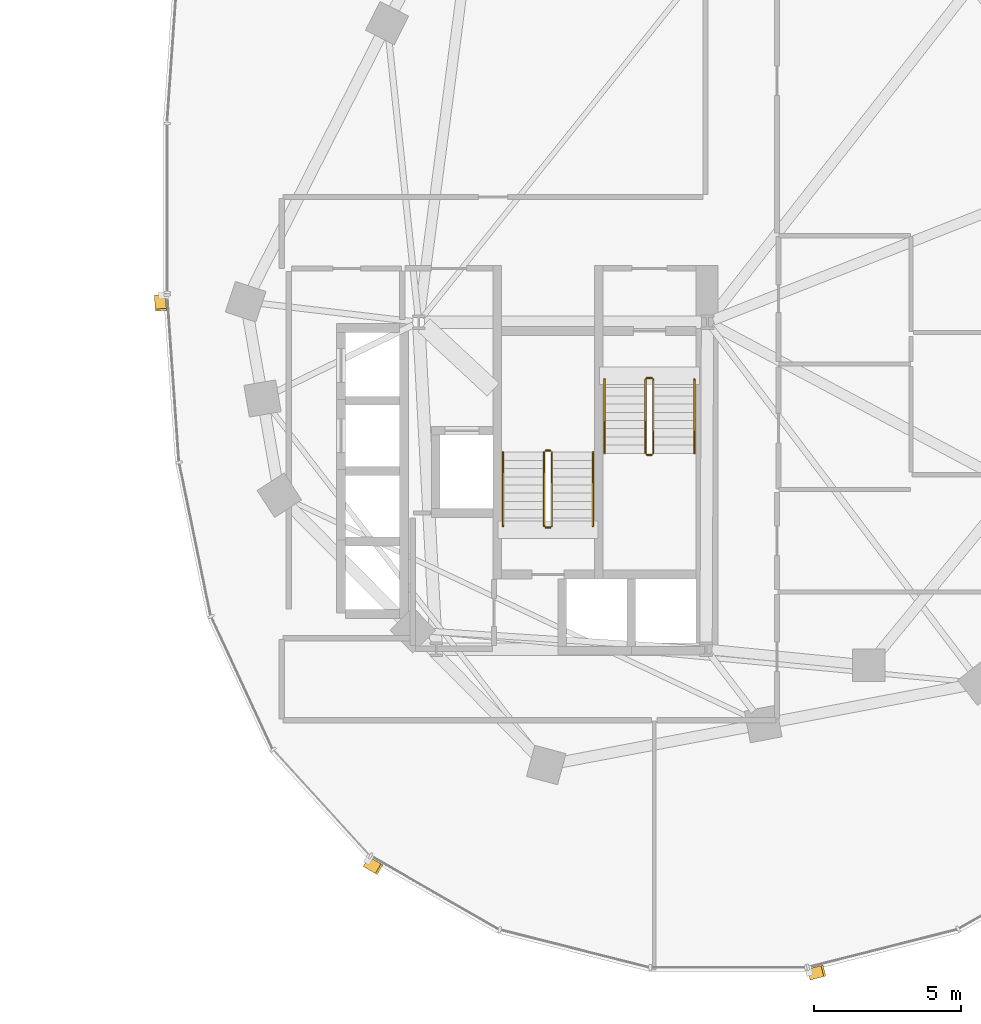
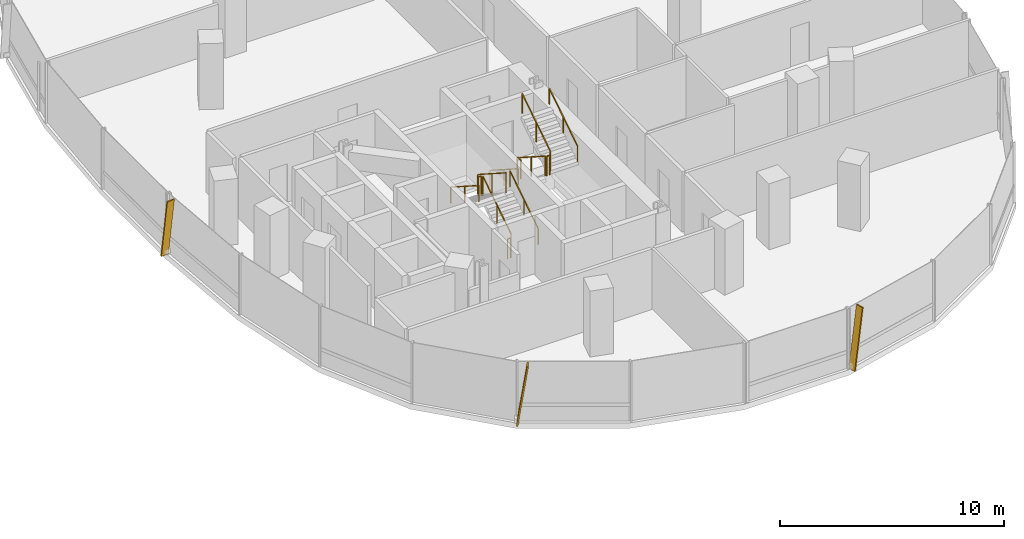
# One storey, part 20 of 21: 12 railings, 3 shading devices.
"""IFC4 building model written with IfcOpenShell, lengths in metres."""

from ifc_helpers import new_model, si_unit, direction, frame, origin, origin_2d, place, context, subcontext, project, spatial, rectangle, extrude, material, material_profile, profile_set, type_object, element, save


model = new_model("IFC4")

# Units and contexts
model_context = context("Model", 3, precision=1e-05, world=origin(), true_north=direction((0.0, 1.0)))
body_context = subcontext(model_context, "Body", "Model", "MODEL_VIEW")
ifc_project = project(units=[si_unit("LENGTHUNIT", "METRE"), si_unit("AREAUNIT", "SQUARE_METRE"), si_unit("VOLUMEUNIT", "CUBIC_METRE"), si_unit("PLANEANGLEUNIT", "RADIAN"), si_unit("MASSUNIT", "GRAM", prefix="KILO"), si_unit("THERMODYNAMICTEMPERATUREUNIT", "KELVIN"), si_unit("POWERUNIT", "WATT")], contexts=[model_context])

# Site, building, storey
site_placement = place(None, origin())
site = spatial("IfcSite", under=ifc_project, at=site_placement, CompositionType="ELEMENT")
building_placement = place(site_placement, origin())
building = spatial("IfcBuilding", under=site, at=building_placement, Name="Cundina Bronze Exchange", CompositionType="ELEMENT")
storey_placement = place(building_placement, frame((0.0, 0.0, 96.199951171875)))
storey = spatial("IfcBuildingStorey", under=building, at=storey_placement, Name="L24", CompositionType="ELEMENT", Elevation=96.199951171875)

# Railings
ifc_material_1 = material(Name="Steel ASTM A36 Painted", Category="steel")
railing_type_1 = type_object("IfcRailingType", Name="RLG-HND-900", PredefinedType="HANDRAIL", material=ifc_material_1)
railing_1_placement = place(storey_placement, frame((27.7900390625, -5.85009765625, 0.179931640625)))
element("IfcRailing", 1, at=railing_1_placement, inside=storey, type_object=railing_type_1, Name="L24 ST-E1 stair handrail 1", PredefinedType="HANDRAIL", context=body_context, shape_type="SweptSolid", body=[
    extrude(rectangle(XDim=0.048095703125, YDim=0.048095703125, at=origin_2d()), frame((0.0, 0.0, 0.8759765625), z_axis=(0.0, -0.841162588446, 0.540782303519), x_axis=(1.0, 0.0, 0.0)), (0.0, 0.0, 1.0), 2.995849609375),
    extrude(rectangle(XDim=0.0419921875, YDim=0.0419921875, at=origin_2d()), origin(), (0.0, 0.0, 1.0), 0.851806640625),
    extrude(rectangle(XDim=0.0419921875, YDim=0.0419921875, at=origin_2d()), frame((0.0, -1.260009765625, 0.81005859375)), (0.0, 0.0, 1.0), 0.851806640625),
    extrude(rectangle(XDim=0.0419921875, YDim=0.0419921875, at=origin_2d()), frame((0.0, -2.52001953125, 1.6201171875)), (0.0, 0.0, 1.0), 0.851806640625),
])
for number, where, name in (
    (2, (30.85009765625, -8.3701171875, 1.97998046875), "L24 ST-E1 stair handrail 2"),
    (3, (27.389892578125, -10.85009765625, 0.179931640625), "L24 ST-E2 stair handrail 1"),
):
    element("IfcRailing", number, at=place(storey_placement, frame(where)), inside=storey, type_object=railing_type_1, Name=name, PredefinedType="HANDRAIL", context=body_context, shape_type="SweptSolid", body=[
        extrude(rectangle(XDim=0.048095703125, YDim=0.048095703125, at=origin_2d()), frame((0.0, 0.0, 0.8759765625), z_axis=(0.0, 0.841162588446, 0.540782303519), x_axis=(-1.0, 0.0, 0.0)), (0.0, 0.0, 1.0), 2.995849609375),
        extrude(rectangle(XDim=0.0419921875, YDim=0.0419921875, at=origin_2d()), origin(), (0.0, 0.0, 1.0), 0.851806640625),
        extrude(rectangle(XDim=0.0419921875, YDim=0.0419921875, at=origin_2d()), frame((0.0, 1.260009765625, 0.81005859375)), (0.0, 0.0, 1.0), 0.851806640625),
        extrude(rectangle(XDim=0.0419921875, YDim=0.0419921875, at=origin_2d()), frame((0.0, 2.52001953125, 1.6201171875)), (0.0, 0.0, 1.0), 0.851806640625),
    ])
railing_2_placement = place(storey_placement, frame((24.330078125, -8.330078125, 1.97998046875)))
element("IfcRailing", 4, at=railing_2_placement, inside=storey, type_object=railing_type_1, Name="L24 ST-E2 stair handrail 2", PredefinedType="HANDRAIL", context=body_context, shape_type="SweptSolid", body=[
    extrude(rectangle(XDim=0.048095703125, YDim=0.048095703125, at=origin_2d()), frame((0.0, 0.0, 0.8759765625), z_axis=(0.0, -0.841162588446, 0.540782303519), x_axis=(1.0, 0.0, 0.0)), (0.0, 0.0, 1.0), 2.995849609375),
    extrude(rectangle(XDim=0.0419921875, YDim=0.0419921875, at=origin_2d()), origin(), (0.0, 0.0, 1.0), 0.851806640625),
    extrude(rectangle(XDim=0.0419921875, YDim=0.0419921875, at=origin_2d()), frame((0.0, -1.260009765625, 0.81005859375)), (0.0, 0.0, 1.0), 0.851806640625),
    extrude(rectangle(XDim=0.0419921875, YDim=0.0419921875, at=origin_2d()), frame((0.0, -2.52001953125, 1.6201171875)), (0.0, 0.0, 1.0), 0.851806640625),
])
railing_type_2 = type_object("IfcRailingType", Name="RLG-STG-1100", PredefinedType="GUARDRAIL", material=ifc_material_1)
railing_3_placement = place(storey_placement, frame((29.18994140625, -5.85009765625, 0.179931640625)))
element("IfcRailing", 5, at=railing_3_placement, inside=storey, type_object=railing_type_2, Name="L24 ST-E1 stair guard 1", PredefinedType="GUARDRAIL", context=body_context, shape_type="SweptSolid", body=[
    extrude(rectangle(XDim=0.048095703125, YDim=0.048095703125, at=origin_2d()), frame((0.0, 0.0, 1.076171875), z_axis=(0.0, -0.841162588446, 0.540782303519), x_axis=(1.0, 0.0, 0.0)), (0.0, 0.0, 1.0), 2.995849609375),
    extrude(rectangle(XDim=0.0419921875, YDim=0.0419921875, at=origin_2d()), origin(), (0.0, 0.0, 1.0), 1.052001953125),
    extrude(rectangle(XDim=0.0419921875, YDim=0.0419921875, at=origin_2d()), frame((0.0, -1.260009765625, 0.81005859375)), (0.0, 0.0, 1.0), 1.052001953125),
    extrude(rectangle(XDim=0.0419921875, YDim=0.0419921875, at=origin_2d()), frame((0.0, -2.52001953125, 1.6201171875)), (0.0, 0.0, 1.0), 1.052001953125),
])
railing_4_placement = place(storey_placement, frame((29.239990234375, -8.419921875, 1.800048828125)))
element("IfcRailing", 6, at=railing_4_placement, inside=storey, type_object=railing_type_2, Name="L24 ST-E1 stair guard 2", PredefinedType="GUARDRAIL", context=body_context, shape_type="SweptSolid", body=[
    extrude(rectangle(XDim=0.048095703125, YDim=0.048095703125, at=origin_2d()), frame((0.0, 0.0, 1.076171875), z_axis=(1.0, 0.0, 0.0), x_axis=(0.0, 1.0, 0.0)), (0.0, 0.0, 1.0), 0.159912109375),
    extrude(rectangle(XDim=0.0419921875, YDim=0.0419921875, at=origin_2d()), origin(), (0.0, 0.0, 1.0), 1.052001953125),
    extrude(rectangle(XDim=0.0419921875, YDim=0.0419921875, at=origin_2d()), frame((0.159912109375, 0.0, 0.0)), (0.0, 0.0, 1.0), 1.052001953125),
])
railing_5_placement = place(storey_placement, frame((29.449951171875, -8.3701171875, 1.97998046875)))
element("IfcRailing", 7, at=railing_5_placement, inside=storey, type_object=railing_type_2, Name="L24 ST-E1 stair guard 3", PredefinedType="GUARDRAIL", context=body_context, shape_type="SweptSolid", body=[
    extrude(rectangle(XDim=0.048095703125, YDim=0.048095703125, at=origin_2d()), frame((0.0, 0.0, 1.076171875), z_axis=(0.0, 0.841162588446, 0.540782303519), x_axis=(-1.0, 0.0, 0.0)), (0.0, 0.0, 1.0), 2.995849609375),
    extrude(rectangle(XDim=0.0419921875, YDim=0.0419921875, at=origin_2d()), origin(), (0.0, 0.0, 1.0), 1.052001953125),
    extrude(rectangle(XDim=0.0419921875, YDim=0.0419921875, at=origin_2d()), frame((0.0, 1.260009765625, 0.81005859375)), (0.0, 0.0, 1.0), 1.052001953125),
    extrude(rectangle(XDim=0.0419921875, YDim=0.0419921875, at=origin_2d()), frame((0.0, 2.52001953125, 1.6201171875)), (0.0, 0.0, 1.0), 1.052001953125),
])
railing_6_placement = place(storey_placement, frame((29.239990234375, -5.800048828125, 0.0)))
element("IfcRailing", 8, at=railing_6_placement, inside=storey, type_object=railing_type_2, Name="L24 ST-E1 stair guard 4", PredefinedType="GUARDRAIL", context=body_context, shape_type="SweptSolid", body=[
    extrude(rectangle(XDim=0.048095703125, YDim=0.048095703125, at=origin_2d()), frame((0.0, 0.0, 1.076171875), z_axis=(1.0, 0.0, 0.0), x_axis=(0.0, 1.0, 0.0)), (0.0, 0.0, 1.0), 0.159912109375),
    extrude(rectangle(XDim=0.0419921875, YDim=0.0419921875, at=origin_2d()), origin(), (0.0, 0.0, 1.0), 1.052001953125),
    extrude(rectangle(XDim=0.0419921875, YDim=0.0419921875, at=origin_2d()), frame((0.159912109375, 0.0, 0.0)), (0.0, 0.0, 1.0), 1.052001953125),
])
railing_7_placement = place(storey_placement, frame((25.989990234375, -10.85009765625, 0.179931640625)))
element("IfcRailing", 9, at=railing_7_placement, inside=storey, type_object=railing_type_2, Name="L24 ST-E2 stair guard 1", PredefinedType="GUARDRAIL", context=body_context, shape_type="SweptSolid", body=[
    extrude(rectangle(XDim=0.048095703125, YDim=0.048095703125, at=origin_2d()), frame((0.0, 0.0, 1.076171875), z_axis=(0.0, 0.841162588446, 0.540782303519), x_axis=(-1.0, 0.0, 0.0)), (0.0, 0.0, 1.0), 2.995849609375),
    extrude(rectangle(XDim=0.0419921875, YDim=0.0419921875, at=origin_2d()), origin(), (0.0, 0.0, 1.0), 1.052001953125),
    extrude(rectangle(XDim=0.0419921875, YDim=0.0419921875, at=origin_2d()), frame((0.0, 1.260009765625, 0.81005859375)), (0.0, 0.0, 1.0), 1.052001953125),
    extrude(rectangle(XDim=0.0419921875, YDim=0.0419921875, at=origin_2d()), frame((0.0, 2.52001953125, 1.6201171875)), (0.0, 0.0, 1.0), 1.052001953125),
])
railing_8_placement = place(storey_placement, frame((25.93994140625, -8.280029296875, 1.800048828125)))
element("IfcRailing", 10, at=railing_8_placement, inside=storey, type_object=railing_type_2, Name="L24 ST-E2 stair guard 2", PredefinedType="GUARDRAIL", context=body_context, shape_type="SweptSolid", body=[
    extrude(rectangle(XDim=0.048095703125, YDim=0.048095703125, at=origin_2d()), frame((0.0, 0.0, 1.076171875), z_axis=(-1.0, 0.0, 0.0), x_axis=(0.0, -1.0, 0.0)), (0.0, 0.0, 1.0), 0.159912109375),
    extrude(rectangle(XDim=0.0419921875, YDim=0.0419921875, at=origin_2d()), origin(), (0.0, 0.0, 1.0), 1.052001953125),
    extrude(rectangle(XDim=0.0419921875, YDim=0.0419921875, at=origin_2d()), frame((-0.159912109375, 0.0, 0.0)), (0.0, 0.0, 1.0), 1.052001953125),
])
railing_9_placement = place(storey_placement, frame((25.72998046875, -8.330078125, 1.97998046875)))
element("IfcRailing", 11, at=railing_9_placement, inside=storey, type_object=railing_type_2, Name="L24 ST-E2 stair guard 3", PredefinedType="GUARDRAIL", context=body_context, shape_type="SweptSolid", body=[
    extrude(rectangle(XDim=0.048095703125, YDim=0.048095703125, at=origin_2d()), frame((0.0, 0.0, 1.076171875), z_axis=(0.0, -0.841162588446, 0.540782303519), x_axis=(1.0, 0.0, 0.0)), (0.0, 0.0, 1.0), 2.995849609375),
    extrude(rectangle(XDim=0.0419921875, YDim=0.0419921875, at=origin_2d()), origin(), (0.0, 0.0, 1.0), 1.052001953125),
    extrude(rectangle(XDim=0.0419921875, YDim=0.0419921875, at=origin_2d()), frame((0.0, -1.260009765625, 0.81005859375)), (0.0, 0.0, 1.0), 1.052001953125),
    extrude(rectangle(XDim=0.0419921875, YDim=0.0419921875, at=origin_2d()), frame((0.0, -2.52001953125, 1.6201171875)), (0.0, 0.0, 1.0), 1.052001953125),
])
railing_10_placement = place(storey_placement, frame((25.93994140625, -10.89990234375, 0.0)))
element("IfcRailing", 12, at=railing_10_placement, inside=storey, type_object=railing_type_2, Name="L24 ST-E2 stair guard 4", PredefinedType="GUARDRAIL", context=body_context, shape_type="SweptSolid", body=[
    extrude(rectangle(XDim=0.048095703125, YDim=0.048095703125, at=origin_2d()), frame((0.0, 0.0, 1.076171875), z_axis=(-1.0, 0.0, 0.0), x_axis=(0.0, -1.0, 0.0)), (0.0, 0.0, 1.0), 0.159912109375),
    extrude(rectangle(XDim=0.0419921875, YDim=0.0419921875, at=origin_2d()), origin(), (0.0, 0.0, 1.0), 1.052001953125),
    extrude(rectangle(XDim=0.0419921875, YDim=0.0419921875, at=origin_2d()), frame((-0.159912109375, 0.0, 0.0)), (0.0, 0.0, 1.0), 1.052001953125),
])

# Shading devices
ifc_material_2 = material(Name="Anodised Bronze Aluminium 6063-T6", Category="aluminium")
ifc_material_profile = material_profile(ifc_material_2, rectangle(XDim=0.070068359375, YDim=0.3798828125, at=origin_2d()), Name="FIN70X380", Category="aluminium")
ifc_profile_set = profile_set([ifc_material_profile], Name="Anodised Bronze Aluminium 6063-T6")
shading_device_type = type_object("IfcShadingDeviceType", Name="SHD-FIN-BRZ380", PredefinedType="USERDEFINED", material=ifc_profile_set)
for number, where, z_axis, x_axis, name in (
    (13, (12.6259765625, -2.993896484375, 0.02001953125), (0.010224545828, -0.145292278041, 0.989335945271), (-0.069450050635, 0.986895284755, 0.145651595925), "L24 Diagonal Bronze Solar Fin 1"),
    (14, (19.685791015625, -22.314208984375, 0.02001953125), (0.126324692219, -0.072534823274, 0.989333498649), (-0.857958278167, 0.492634108109, 0.145668213594), "L24 Diagonal Bronze Solar Fin 5"),
    (15, (34.787353515625, -26.138427734375, 0.02001953125), (0.141217047268, 0.035711761166, 0.989334329575), (-0.95914051701, -0.242552848478, 0.145662570088), "L24 Diagonal Bronze Solar Fin 1"),
):
    element("IfcShadingDevice", number, at=place(storey_placement, frame(where, z_axis=z_axis, x_axis=x_axis)), inside=storey, type_object=shading_device_type, Name=name, ObjectType="FIN", PredefinedType="USERDEFINED", context=body_context, shape_type="SweptSolid", body=[
        extrude(rectangle(XDim=0.070068359375, YDim=0.3798828125, at=origin_2d()), origin(), (0.0, 0.0, 1.0), 3.295166015625),
    ])

save(model, "model.ifc")
